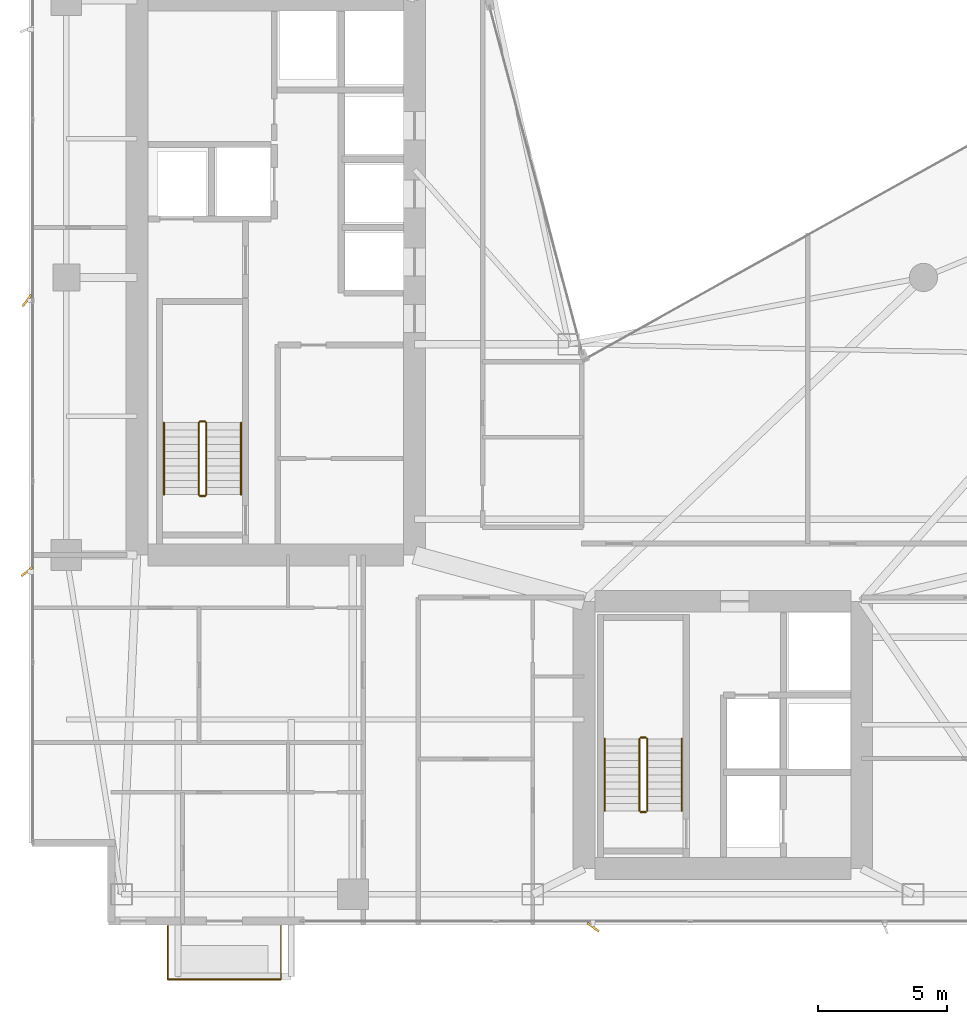
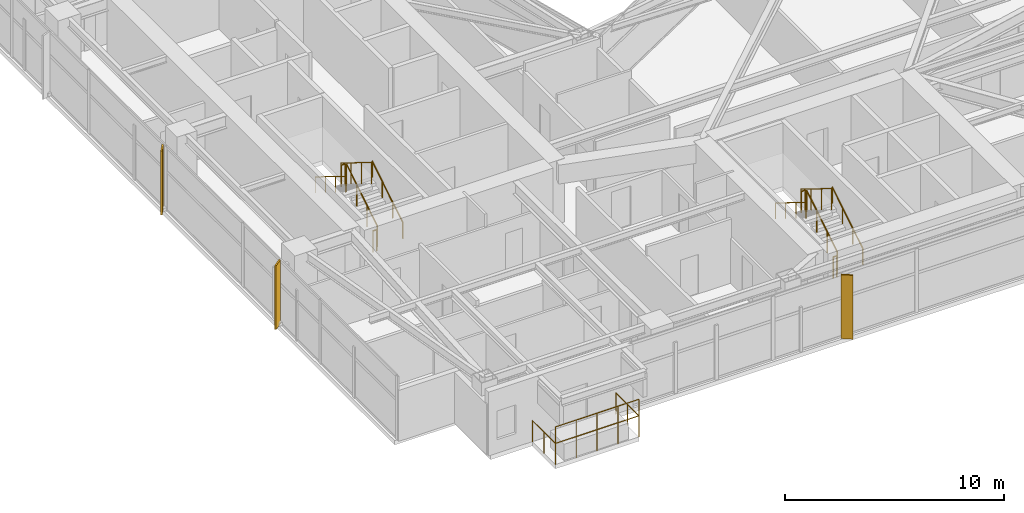
# One storey, part 27 of 28: 14 railings, 3 shading devices.
"""IFC4 building model written with IfcOpenShell, lengths in metres."""

from ifc_helpers import new_model, si_unit, direction, frame, origin, origin_2d, place, context, subcontext, project, spatial, rectangle, circle, extrude, material, type_object, element, save


model = new_model("IFC4")

# Units and contexts
model_context = context("Model", 3, precision=1e-05, world=origin(), true_north=direction((0.0, 1.0)))
body_context = subcontext(model_context, "Body", "Model", "MODEL_VIEW")
ifc_project = project(units=[si_unit("LENGTHUNIT", "METRE"), si_unit("AREAUNIT", "SQUARE_METRE"), si_unit("VOLUMEUNIT", "CUBIC_METRE"), si_unit("PLANEANGLEUNIT", "RADIAN"), si_unit("MASSUNIT", "GRAM", prefix="KILO")], contexts=[model_context])

# Site, building, storey
site_placement = place(None, origin())
site = spatial("IfcSite", under=ifc_project, at=site_placement, CompositionType="ELEMENT")
building_placement = place(site_placement, origin())
building = spatial("IfcBuilding", under=site, at=building_placement, Name="Calvorn Quay Hotel", CompositionType="ELEMENT")
storey_placement = place(building_placement, frame((0.0, 0.0, 101.199951171875)))
storey = spatial("IfcBuildingStorey", under=building, at=storey_placement, Name="L24", CompositionType="ELEMENT", Elevation=101.199951171875)

# Railings
ifc_material_1 = material(Name="Pale Anodised Aluminium and Laminated Glass", Category="aluminium")
railing_type_1 = type_object("IfcRailingType", Name="RLG-BALUSTRADE-1200", PredefinedType="BALUSTRADE", material=ifc_material_1)
railing_1_placement = place(storey_placement, frame((5.39990234375, 2.389892578125, 0.0)))
element("IfcRailing", 1, at=railing_1_placement, inside=storey, type_object=railing_type_1, Name="Tree Balcony Perimeter Balustrade L24-BALC-S", PredefinedType="BALUSTRADE", context=body_context, shape_type="SweptSolid", body=[
    extrude(circle(Radius=0.02392578125, at=origin_2d()), frame((0.0, 0.0, 1.17578125), z_axis=(0.0, -1.0, 0.0), x_axis=(1.0, 0.0, 0.0)), (0.0, 0.0, 1.0), 2.099853515625),
    extrude(circle(Radius=0.02392578125, at=origin_2d()), frame((0.0, -2.099853515625, 1.17578125), z_axis=(1.0, 0.0, 0.0), x_axis=(0.0, 1.0, 0.0)), (0.0, 0.0, 1.0), 4.400146484375),
    extrude(circle(Radius=0.02392578125, at=origin_2d()), frame((4.400146484375, -2.099853515625, 1.17578125), z_axis=(0.0, 1.0, 0.0), x_axis=(-1.0, 0.0, 0.0)), (0.0, 0.0, 1.0), 2.099853515625),
    extrude(circle(Radius=0.02099609375, at=origin_2d()), origin(), (0.0, 0.0, 1.0), 1.15185546875),
    extrude(circle(Radius=0.02099609375, at=origin_2d()), frame((0.0, -1.0498046875, 0.0)), (0.0, 0.0, 1.0), 1.15185546875),
    extrude(circle(Radius=0.02099609375, at=origin_2d()), frame((0.0, -2.099853515625, 0.0)), (0.0, 0.0, 1.0), 1.15185546875),
    extrude(circle(Radius=0.02099609375, at=origin_2d()), frame((1.10009765625, -2.099853515625, 0.0)), (0.0, 0.0, 1.0), 1.15185546875),
    extrude(circle(Radius=0.02099609375, at=origin_2d()), frame((2.2001953125, -2.099853515625, 0.0)), (0.0, 0.0, 1.0), 1.15185546875),
    extrude(circle(Radius=0.02099609375, at=origin_2d()), frame((3.300048828125, -2.099853515625, 0.0)), (0.0, 0.0, 1.0), 1.15185546875),
    extrude(circle(Radius=0.02099609375, at=origin_2d()), frame((4.400146484375, -2.099853515625, 0.0)), (0.0, 0.0, 1.0), 1.15185546875),
    extrude(circle(Radius=0.02099609375, at=origin_2d()), frame((4.400146484375, -1.0498046875, 0.0)), (0.0, 0.0, 1.0), 1.15185546875),
    extrude(circle(Radius=0.02099609375, at=origin_2d()), frame((4.400146484375, 0.0, 0.0)), (0.0, 0.0, 1.0), 1.15185546875),
])
railing_2_placement = place(storey_placement, frame((5.39990234375, 0.2900390625, 0.900146484375)))
element("IfcRailing", 2, at=railing_2_placement, inside=storey, type_object=railing_type_1, Name="Planter Kerb High Safety Screen L24-BALC-S", PredefinedType="BALUSTRADE", context=body_context, shape_type="SweptSolid", body=[
    extrude(circle(Radius=0.02392578125, at=origin_2d()), frame((0.0, 0.0, 1.19580078125), z_axis=(1.0, 0.0, 0.0), x_axis=(0.0, 1.0, 0.0)), (0.0, 0.0, 1.0), 4.400146484375),
    extrude(circle(Radius=0.02099609375, at=origin_2d()), origin(), (0.0, 0.0, 1.0), 1.171875),
    extrude(circle(Radius=0.02099609375, at=origin_2d()), frame((1.10009765625, 0.0, 0.0)), (0.0, 0.0, 1.0), 1.171875),
    extrude(circle(Radius=0.02099609375, at=origin_2d()), frame((2.2001953125, 0.0, 0.0)), (0.0, 0.0, 1.0), 1.171875),
    extrude(circle(Radius=0.02099609375, at=origin_2d()), frame((3.300048828125, 0.0, 0.0)), (0.0, 0.0, 1.0), 1.171875),
    extrude(circle(Radius=0.02099609375, at=origin_2d()), frame((4.400146484375, 0.0, 0.0)), (0.0, 0.0, 1.0), 1.171875),
])
ifc_material_2 = material(Name="Brushed Stainless Steel Handrail", Category="steel")
railing_type_2 = type_object("IfcRailingType", Name="RLG-HANDRAIL-900", PredefinedType="HANDRAIL", material=ifc_material_2)
railing_3_placement = place(storey_placement, frame((8.25, 19.14990234375, 0.1728515625)))
element("IfcRailing", 3, at=railing_3_placement, inside=storey, type_object=railing_type_2, Name="L24 ST-W stair handrail 1", PredefinedType="HANDRAIL", context=body_context, shape_type="SweptSolid", body=[
    extrude(circle(Radius=0.02392578125, at=origin_2d()), frame((0.0, 0.0, 0.8759765625), z_axis=(0.0, 0.851089632645, 0.525020415988), x_axis=(-1.0, 0.0, 0.0)), (0.0, 0.0, 1.0), 3.2900390625),
    extrude(circle(Radius=0.02099609375, at=origin_2d()), origin(), (0.0, 0.0, 1.0), 0.851806640625),
    extrude(circle(Radius=0.02099609375, at=origin_2d()), frame((0.0, 0.933349609375, 0.57568359375)), (0.0, 0.0, 1.0), 0.851806640625),
    extrude(circle(Radius=0.02099609375, at=origin_2d()), frame((0.0, 1.86669921875, 1.151611328125)), (0.0, 0.0, 1.0), 0.851806640625),
    extrude(circle(Radius=0.02099609375, at=origin_2d()), frame((0.0, 2.800048828125, 1.727294921875)), (0.0, 0.0, 1.0), 0.851806640625),
])
railing_4_placement = place(storey_placement, frame((5.25, 21.949951171875, 2.07275390625)))
element("IfcRailing", 4, at=railing_4_placement, inside=storey, type_object=railing_type_2, Name="L24 ST-W stair handrail 2", PredefinedType="HANDRAIL", context=body_context, shape_type="SweptSolid", body=[
    extrude(circle(Radius=0.02392578125, at=origin_2d()), frame((0.0, 0.0, 0.8759765625), z_axis=(0.0, -0.851089632645, 0.525020415988), x_axis=(1.0, 0.0, 0.0)), (0.0, 0.0, 1.0), 3.2900390625),
    extrude(circle(Radius=0.02099609375, at=origin_2d()), origin(), (0.0, 0.0, 1.0), 0.851806640625),
    extrude(circle(Radius=0.02099609375, at=origin_2d()), frame((0.0, -0.933349609375, 0.57568359375)), (0.0, 0.0, 1.0), 0.851806640625),
    extrude(circle(Radius=0.02099609375, at=origin_2d()), frame((0.0, -1.86669921875, 1.151611328125)), (0.0, 0.0, 1.0), 0.851806640625),
    extrude(circle(Radius=0.02099609375, at=origin_2d()), frame((0.0, -2.800048828125, 1.727294921875)), (0.0, 0.0, 1.0), 0.851806640625),
])
railing_5_placement = place(storey_placement, frame((25.39990234375, 6.85009765625, 0.1728515625)))
element("IfcRailing", 5, at=railing_5_placement, inside=storey, type_object=railing_type_2, Name="L24 ST-E stair handrail 1", PredefinedType="HANDRAIL", context=body_context, shape_type="SweptSolid", body=[
    extrude(circle(Radius=0.02392578125, at=origin_2d()), frame((0.0, 0.0, 0.8759765625), z_axis=(0.0, 0.851069175582, 0.525053576669), x_axis=(-1.0, 0.0, 0.0)), (0.0, 0.0, 1.0), 3.289794921875),
    extrude(circle(Radius=0.02099609375, at=origin_2d()), origin(), (0.0, 0.0, 1.0), 0.851806640625),
    extrude(circle(Radius=0.02099609375, at=origin_2d()), frame((0.0, 0.933349609375, 0.57568359375)), (0.0, 0.0, 1.0), 0.851806640625),
    extrude(circle(Radius=0.02099609375, at=origin_2d()), frame((0.0, 1.866455078125, 1.151611328125)), (0.0, 0.0, 1.0), 0.851806640625),
    extrude(circle(Radius=0.02099609375, at=origin_2d()), frame((0.0, 2.7998046875, 1.727294921875)), (0.0, 0.0, 1.0), 0.851806640625),
])
railing_6_placement = place(storey_placement, frame((22.39990234375, 9.64990234375, 2.07275390625)))
element("IfcRailing", 6, at=railing_6_placement, inside=storey, type_object=railing_type_2, Name="L24 ST-E stair handrail 2", PredefinedType="HANDRAIL", context=body_context, shape_type="SweptSolid", body=[
    extrude(circle(Radius=0.02392578125, at=origin_2d()), frame((0.0, 0.0, 0.8759765625), z_axis=(0.0, -0.851069175582, 0.525053576669), x_axis=(1.0, 0.0, 0.0)), (0.0, 0.0, 1.0), 3.289794921875),
    extrude(circle(Radius=0.02099609375, at=origin_2d()), origin(), (0.0, 0.0, 1.0), 0.851806640625),
    extrude(circle(Radius=0.02099609375, at=origin_2d()), frame((0.0, -0.933349609375, 0.57568359375)), (0.0, 0.0, 1.0), 0.851806640625),
    extrude(circle(Radius=0.02099609375, at=origin_2d()), frame((0.0, -1.866455078125, 1.151611328125)), (0.0, 0.0, 1.0), 0.851806640625),
    extrude(circle(Radius=0.02099609375, at=origin_2d()), frame((0.0, -2.7998046875, 1.727294921875)), (0.0, 0.0, 1.0), 0.851806640625),
])
ifc_material_3 = material(Name="Painted Galvanised Steel Balustrade", Category="steel")
railing_type_3 = type_object("IfcRailingType", Name="RLG-STAIR-GUARD-1120", PredefinedType="GUARDRAIL", material=ifc_material_3)
railing_7_placement = place(storey_placement, frame((6.89990234375, 19.14990234375, 0.1728515625)))
element("IfcRailing", 7, at=railing_7_placement, inside=storey, type_object=railing_type_3, Name="L24 ST-W stair guard 1", PredefinedType="GUARDRAIL", context=body_context, shape_type="SweptSolid", body=[
    extrude(circle(Radius=0.02392578125, at=origin_2d()), frame((0.0, 0.0, 1.17578125), z_axis=(0.0, 0.851089632645, 0.525020415988), x_axis=(-1.0, 0.0, 0.0)), (0.0, 0.0, 1.0), 3.2900390625),
    extrude(circle(Radius=0.02099609375, at=origin_2d()), origin(), (0.0, 0.0, 1.0), 1.15185546875),
    extrude(circle(Radius=0.02099609375, at=origin_2d()), frame((0.0, 0.933349609375, 0.57568359375)), (0.0, 0.0, 1.0), 1.15185546875),
    extrude(circle(Radius=0.02099609375, at=origin_2d()), frame((0.0, 1.86669921875, 1.151611328125)), (0.0, 0.0, 1.0), 1.15185546875),
    extrude(circle(Radius=0.02099609375, at=origin_2d()), frame((0.0, 2.800048828125, 1.727294921875)), (0.0, 0.0, 1.0), 1.15185546875),
])
railing_8_placement = place(storey_placement, frame((6.85009765625, 22.0, 1.900146484375)))
element("IfcRailing", 8, at=railing_8_placement, inside=storey, type_object=railing_type_3, Name="L24 ST-W stair guard 2", PredefinedType="GUARDRAIL", context=body_context, shape_type="SweptSolid", body=[
    extrude(circle(Radius=0.02392578125, at=origin_2d()), frame((0.0, 0.0, 1.17578125), z_axis=(-1.0, 0.0, 0.0), x_axis=(0.0, -1.0, 0.0)), (0.0, 0.0, 1.0), 0.2001953125),
    extrude(circle(Radius=0.02099609375, at=origin_2d()), origin(), (0.0, 0.0, 1.0), 1.15185546875),
    extrude(circle(Radius=0.02099609375, at=origin_2d()), frame((-0.2001953125, 0.0, 0.0)), (0.0, 0.0, 1.0), 1.15185546875),
])
railing_9_placement = place(storey_placement, frame((6.60009765625, 21.949951171875, 2.07275390625)))
element("IfcRailing", 9, at=railing_9_placement, inside=storey, type_object=railing_type_3, Name="L24 ST-W stair guard 3", PredefinedType="GUARDRAIL", context=body_context, shape_type="SweptSolid", body=[
    extrude(circle(Radius=0.02392578125, at=origin_2d()), frame((0.0, 0.0, 1.17578125), z_axis=(0.0, -0.851089632645, 0.525020415988), x_axis=(1.0, 0.0, 0.0)), (0.0, 0.0, 1.0), 3.2900390625),
    extrude(circle(Radius=0.02099609375, at=origin_2d()), origin(), (0.0, 0.0, 1.0), 1.15185546875),
    extrude(circle(Radius=0.02099609375, at=origin_2d()), frame((0.0, -0.933349609375, 0.57568359375)), (0.0, 0.0, 1.0), 1.15185546875),
    extrude(circle(Radius=0.02099609375, at=origin_2d()), frame((0.0, -1.86669921875, 1.151611328125)), (0.0, 0.0, 1.0), 1.15185546875),
    extrude(circle(Radius=0.02099609375, at=origin_2d()), frame((0.0, -2.800048828125, 1.727294921875)), (0.0, 0.0, 1.0), 1.15185546875),
])
railing_10_placement = place(storey_placement, frame((6.85009765625, 19.10009765625, 0.0)))
element("IfcRailing", 10, at=railing_10_placement, inside=storey, type_object=railing_type_3, Name="L24 ST-W stair guard 4", PredefinedType="GUARDRAIL", context=body_context, shape_type="SweptSolid", body=[
    extrude(circle(Radius=0.02392578125, at=origin_2d()), frame((0.0, 0.0, 1.17578125), z_axis=(-1.0, 0.0, 0.0), x_axis=(0.0, -1.0, 0.0)), (0.0, 0.0, 1.0), 0.2001953125),
    extrude(circle(Radius=0.02099609375, at=origin_2d()), origin(), (0.0, 0.0, 1.0), 1.15185546875),
    extrude(circle(Radius=0.02099609375, at=origin_2d()), frame((-0.2001953125, 0.0, 0.0)), (0.0, 0.0, 1.0), 1.15185546875),
])
railing_11_placement = place(storey_placement, frame((24.050048828125, 6.85009765625, 0.1728515625)))
element("IfcRailing", 11, at=railing_11_placement, inside=storey, type_object=railing_type_3, Name="L24 ST-E stair guard 1", PredefinedType="GUARDRAIL", context=body_context, shape_type="SweptSolid", body=[
    extrude(circle(Radius=0.02392578125, at=origin_2d()), frame((0.0, 0.0, 1.17578125), z_axis=(0.0, 0.851069175582, 0.525053576669), x_axis=(-1.0, 0.0, 0.0)), (0.0, 0.0, 1.0), 3.289794921875),
    extrude(circle(Radius=0.02099609375, at=origin_2d()), origin(), (0.0, 0.0, 1.0), 1.15185546875),
    extrude(circle(Radius=0.02099609375, at=origin_2d()), frame((0.0, 0.933349609375, 0.57568359375)), (0.0, 0.0, 1.0), 1.15185546875),
    extrude(circle(Radius=0.02099609375, at=origin_2d()), frame((0.0, 1.866455078125, 1.151611328125)), (0.0, 0.0, 1.0), 1.15185546875),
    extrude(circle(Radius=0.02099609375, at=origin_2d()), frame((0.0, 2.7998046875, 1.727294921875)), (0.0, 0.0, 1.0), 1.15185546875),
])
railing_12_placement = place(storey_placement, frame((24.0, 9.699951171875, 1.900146484375)))
element("IfcRailing", 12, at=railing_12_placement, inside=storey, type_object=railing_type_3, Name="L24 ST-E stair guard 2", PredefinedType="GUARDRAIL", context=body_context, shape_type="SweptSolid", body=[
    extrude(circle(Radius=0.02392578125, at=origin_2d()), frame((0.0, 0.0, 1.17578125), z_axis=(-1.0, 0.0, 0.0), x_axis=(0.0, -1.0, 0.0)), (0.0, 0.0, 1.0), 0.199951171875),
    extrude(circle(Radius=0.02099609375, at=origin_2d()), origin(), (0.0, 0.0, 1.0), 1.15185546875),
    extrude(circle(Radius=0.02099609375, at=origin_2d()), frame((-0.199951171875, 0.0, 0.0)), (0.0, 0.0, 1.0), 1.15185546875),
])
railing_13_placement = place(storey_placement, frame((23.75, 9.64990234375, 2.07275390625)))
element("IfcRailing", 13, at=railing_13_placement, inside=storey, type_object=railing_type_3, Name="L24 ST-E stair guard 3", PredefinedType="GUARDRAIL", context=body_context, shape_type="SweptSolid", body=[
    extrude(circle(Radius=0.02392578125, at=origin_2d()), frame((0.0, 0.0, 1.17578125), z_axis=(0.0, -0.851069175582, 0.525053576669), x_axis=(1.0, 0.0, 0.0)), (0.0, 0.0, 1.0), 3.289794921875),
    extrude(circle(Radius=0.02099609375, at=origin_2d()), origin(), (0.0, 0.0, 1.0), 1.15185546875),
    extrude(circle(Radius=0.02099609375, at=origin_2d()), frame((0.0, -0.933349609375, 0.57568359375)), (0.0, 0.0, 1.0), 1.15185546875),
    extrude(circle(Radius=0.02099609375, at=origin_2d()), frame((0.0, -1.866455078125, 1.151611328125)), (0.0, 0.0, 1.0), 1.15185546875),
    extrude(circle(Radius=0.02099609375, at=origin_2d()), frame((0.0, -2.7998046875, 1.727294921875)), (0.0, 0.0, 1.0), 1.15185546875),
])
railing_14_placement = place(storey_placement, frame((24.0, 6.800048828125, 0.0)))
element("IfcRailing", 14, at=railing_14_placement, inside=storey, type_object=railing_type_3, Name="L24 ST-E stair guard 4", PredefinedType="GUARDRAIL", context=body_context, shape_type="SweptSolid", body=[
    extrude(circle(Radius=0.02392578125, at=origin_2d()), frame((0.0, 0.0, 1.17578125), z_axis=(-1.0, 0.0, 0.0), x_axis=(0.0, -1.0, 0.0)), (0.0, 0.0, 1.0), 0.199951171875),
    extrude(circle(Radius=0.02099609375, at=origin_2d()), origin(), (0.0, 0.0, 1.0), 1.15185546875),
    extrude(circle(Radius=0.02099609375, at=origin_2d()), frame((-0.199951171875, 0.0, 0.0)), (0.0, 0.0, 1.0), 1.15185546875),
])

# Shading devices
ifc_material_4 = material(Name="Champagne Bronze Anodised Aluminium 6063-T6", Category="aluminium")
shading_device_type_1 = type_object("IfcShadingDeviceType", Name="SHD-FIN-A2", PredefinedType="USERDEFINED", material=ifc_material_4)
shading_device_placement = place(storey_placement, frame((-0.080078125, 16.14990234375, 0.0), z_axis=(0.0, 0.0, 1.0), x_axis=(0.788010753607, 0.615661475326, 0.0)))
element("IfcShadingDevice", 15, at=shading_device_placement, inside=storey, type_object=shading_device_type_1, Name="Diagonal Sun-Shading Fin L24-W01", ObjectType="FIN", PredefinedType="USERDEFINED", context=body_context, shape_type="SweptSolid", body=[
    extrude(rectangle(XDim=0.550048828125, YDim=0.080078125, at=origin_2d()), origin(), (0.0, 0.0, 1.0), 3.56005859375),
])
ifc_material_5 = material(Name="Champagne Bronze Anodised Aluminium 6063-T6", Category="aluminium")
shading_device_type_2 = type_object("IfcShadingDeviceType", Name="SHD-FIN-A3", PredefinedType="USERDEFINED", material=ifc_material_5)
for number, where, z_axis, x_axis, name in (
    (16, (-0.080078125, 26.699951171875, 0.0), (0.0, 0.0, 1.0), (0.587785252292, 0.809016994375, 0.0), "Diagonal Sun-Shading Fin L24-W02"),
    (17, (21.949951171875, 2.320068359375, 0.0), (0.0, 0.0, 1.0), (-0.809016994375, 0.587785252292, 0.0), "Diagonal Sun-Shading Fin L24-S01"),
):
    element("IfcShadingDevice", number, at=place(storey_placement, frame(where, z_axis=z_axis, x_axis=x_axis)), inside=storey, type_object=shading_device_type_2, Name=name, ObjectType="FIN", PredefinedType="USERDEFINED", context=body_context, shape_type="SweptSolid", body=[
        extrude(rectangle(XDim=0.550048828125, YDim=0.080078125, at=origin_2d()), origin(), (0.0, 0.0, 1.0), 3.56005859375),
    ])

save(model, "model.ifc")
